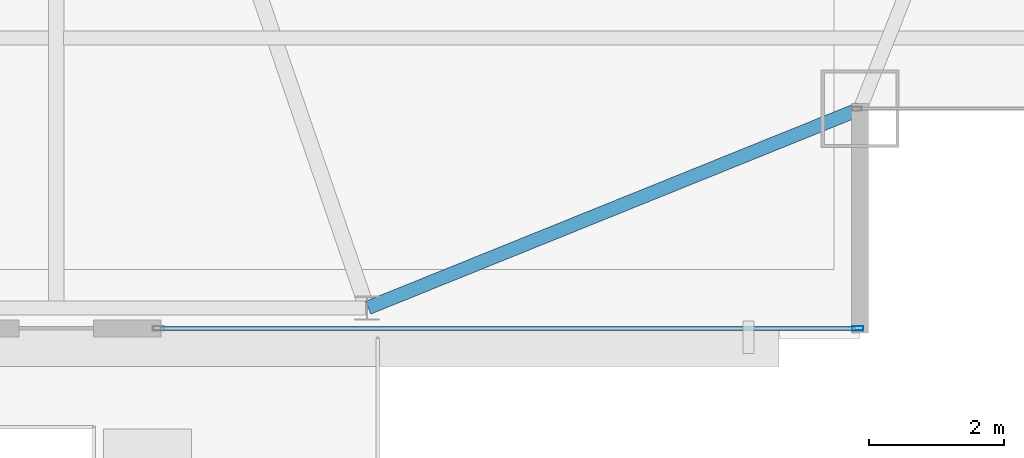
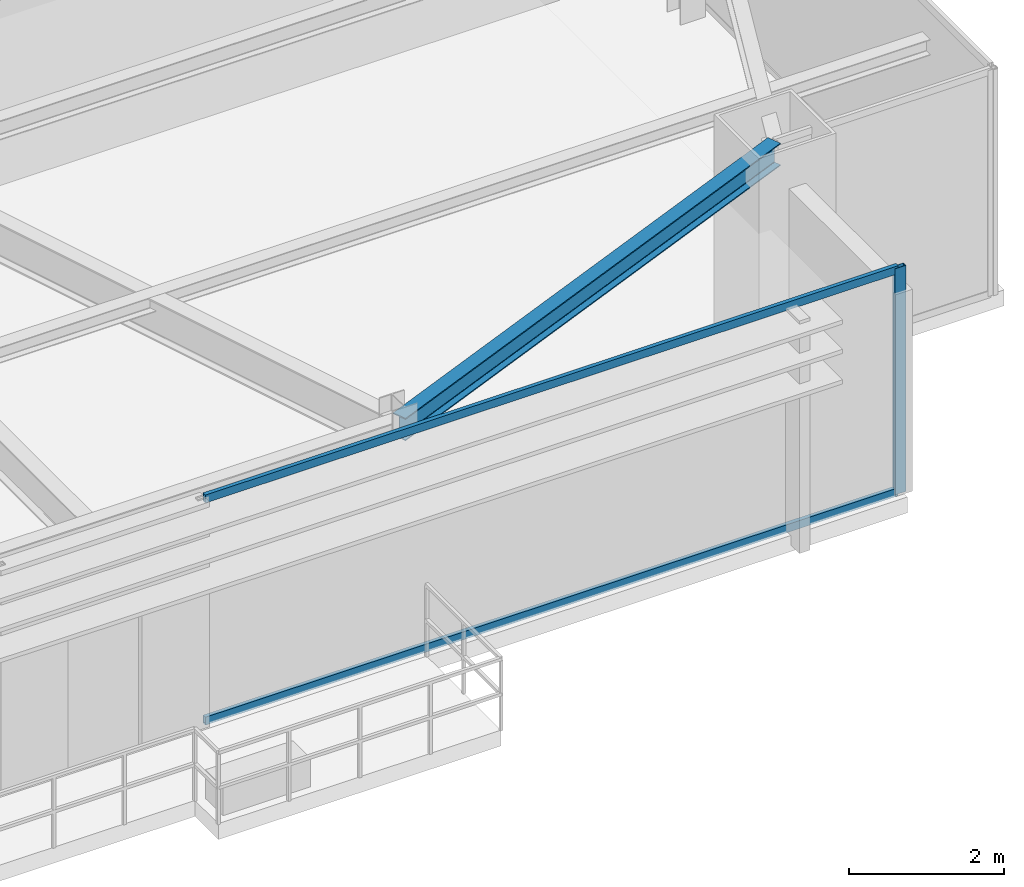
# One storey, part 13 of 30: 3 members, 1 beam, 1 element without a shape of its own.
"""IFC4 building model written with IfcOpenShell, lengths in metres."""

import ifcopenshell
import ifcopenshell.guid

model = None  # the IFC model being written
_history = None  # IfcOwnerHistory: only IFC2X3 demands one
_inside = {}  # id of a spatial element -> (the spatial element, [elements in it])
_under = {}  # id of a project, library or spatial element -> (it, [spatial elements below it])
_declared = {}  # id of a project -> (the project, [libraries it declares])
_typed = {}  # id of a type object -> (the type object, [elements of that type])
_made_of = {}  # id of a material, layer set ... -> (it, [elements and type objects made of it])


def new_model(schema):
    """Start an empty IFC model of exactly this schema.

    Asked for "IFC4X3", IfcOpenShell would pick the latest addendum, in which some entities
    have other attributes; the version numbers below select the first issue.
    IFC2X3 requires an IfcOwnerHistory on every rooted entity: one is made here for all.
    """
    global model, _history
    if schema == "IFC4X3":
        model = ifcopenshell.file(schema_version=(4, 3, 0, 0))
    else:
        model = ifcopenshell.file(schema=schema)
    _inside.clear()
    _under.clear()
    _declared.clear()
    _typed.clear()
    _made_of.clear()
    _history = None
    if model.schema == "IFC2X3":
        org = make("IfcOrganization", Name="unknown")
        user = make(
            "IfcPersonAndOrganization",
            ThePerson=make("IfcPerson", FamilyName="unknown"),
            TheOrganization=org,
        )
        app = make(
            "IfcApplication",
            ApplicationDeveloper=org,
            Version="unknown",
            ApplicationFullName="unknown",
            ApplicationIdentifier="unknown",
        )
        _history = make(
            "IfcOwnerHistory",
            OwningUser=user,
            OwningApplication=app,
            ChangeAction="ADDED",
            CreationDate=0,
        )
    return model


def make(cls, **values):
    """One entity of the class cls with the attributes given. An attribute that is None is left unset."""
    return model.create_entity(
        cls, **{name: value for name, value in values.items() if value is not None}
    )


def rooted(cls, **values):
    """An entity with a GlobalId (a new one), such as an element, a storey or a relation."""
    return make(cls, GlobalId=ifcopenshell.guid.new(), OwnerHistory=_history, **values)


def si_unit(unit_type, name, prefix=None):
    """IfcSIUnit, for example si_unit("LENGTHUNIT", "METRE", prefix="MILLI")."""
    return make("IfcSIUnit", UnitType=unit_type, Prefix=prefix, Name=name)


def assignment(units):
    """IfcUnitAssignment: the units of a project."""
    return None if units is None else make("IfcUnitAssignment", Units=units)


def point(xyz):
    """IfcCartesianPoint."""
    return None if xyz is None else make("IfcCartesianPoint", Coordinates=xyz)


def direction(xyz):
    """IfcDirection."""
    return None if xyz is None else make("IfcDirection", DirectionRatios=xyz)


def frame(location, z_axis=None, x_axis=None):
    """IfcAxis2Placement3D, a coordinate frame: its origin and axes. An axis left out is left unset."""
    return make(
        "IfcAxis2Placement3D",
        Location=point(location),
        Axis=direction(z_axis),
        RefDirection=direction(x_axis),
    )


def frame_2d(location, x_axis=None):
    """IfcAxis2Placement2D, a coordinate frame in the plane: its origin and x axis."""
    return make(
        "IfcAxis2Placement2D", Location=point(location), RefDirection=direction(x_axis)
    )


def origin():
    """The frame at (0, 0, 0) with its axes left unset."""
    return frame((0.0, 0.0, 0.0))


def origin_2d():
    """The frame at (0, 0) in the plane with its x axis left unset."""
    return frame_2d((0.0, 0.0))


def place(relative_to, where):
    """IfcLocalPlacement: puts the frame where relative to a parent placement (None: the world)."""
    return make(
        "IfcLocalPlacement", PlacementRelTo=relative_to, RelativePlacement=where
    )


def context(
    kind, dimensions, precision=None, world=None, true_north=None, identifier=None
):
    """IfcGeometricRepresentationContext, for example the 3D "Model" context."""
    return make(
        "IfcGeometricRepresentationContext",
        ContextIdentifier=identifier,
        ContextType=kind,
        CoordinateSpaceDimension=dimensions,
        Precision=precision,
        WorldCoordinateSystem=world,
        TrueNorth=true_north,
    )


def subcontext(parent, identifier, kind, view, scale=None):
    """IfcGeometricRepresentationSubContext, for example "Body" below "Model"."""
    return make(
        "IfcGeometricRepresentationSubContext",
        ContextIdentifier=identifier,
        ContextType=kind,
        ParentContext=parent,
        TargetScale=scale,
        TargetView=view,
    )


def project(units=None, contexts=None):
    """IfcProject with its units and contexts."""
    return rooted(
        "IfcProject",
        Name="project",
        RepresentationContexts=contexts,
        UnitsInContext=assignment(units),
    )


def spatial(cls, under=None, at=None, **own):
    """A site, building, storey or space (cls), placed at a placement, below another one or the project."""
    s = rooted(cls, ObjectPlacement=at, **own)
    if under is not None:
        _under.setdefault(under.id(), (under, []))[1].append(s)
    return s


def profile(cls, at=None, kind="AREA", **sizes):
    """A parametric profile (cls). Its sizes go by their IFC names, for example OverallWidth=200.0."""
    return make(cls, ProfileType=kind, Position=at, **sizes)


def hollow_rectangle(**sizes):
    """IfcRectangleHollowProfileDef."""
    return profile("IfcRectangleHollowProfileDef", **sizes)


def i_section(**sizes):
    """IfcIShapeProfileDef."""
    return profile("IfcIShapeProfileDef", **sizes)


def extrude(swept, where, along, depth):
    """IfcExtrudedAreaSolid: the profile swept, set in the frame where, extruded along a direction by depth."""
    return make(
        "IfcExtrudedAreaSolid",
        SweptArea=swept,
        Position=where,
        ExtrudedDirection=direction(along),
        Depth=depth,
    )


def shape(context_of_items, identifier, shape_type, items):
    """IfcShapeRepresentation: the items that make up one representation, for example the "Body"."""
    return make(
        "IfcShapeRepresentation",
        ContextOfItems=context_of_items,
        RepresentationIdentifier=identifier,
        RepresentationType=shape_type,
        Items=items,
    )


def source(mapping_origin, context_of_items, identifier, shape_type, items):
    """IfcRepresentationMap: a shape defined once, which mapped items show again and again."""
    return make(
        "IfcRepresentationMap",
        MappingOrigin=mapping_origin,
        MappedRepresentation=shape(context_of_items, identifier, shape_type, items),
    )


def transform(
    local_origin,
    x_axis=None,
    y_axis=None,
    z_axis=None,
    scale=None,
    scale2=None,
    scale3=None,
    uniform=True,
):
    """IfcCartesianTransformationOperator3D, or its non-uniform kind. x_axis, y_axis, z_axis: its Axis1, 2, 3."""
    if uniform:
        return make(
            "IfcCartesianTransformationOperator3D",
            Axis1=direction(x_axis),
            Axis2=direction(y_axis),
            LocalOrigin=point(local_origin),
            Scale=scale,
            Axis3=direction(z_axis),
        )
    return make(
        "IfcCartesianTransformationOperator3DnonUniform",
        Axis1=direction(x_axis),
        Axis2=direction(y_axis),
        LocalOrigin=point(local_origin),
        Scale=scale,
        Axis3=direction(z_axis),
        Scale2=scale2,
        Scale3=scale3,
    )


def mapped(mapping_source, mapping_target):
    """IfcMappedItem: shows the shape of a source again, moved by a transform."""
    return make(
        "IfcMappedItem", MappingSource=mapping_source, MappingTarget=mapping_target
    )


def material(Name=None, Category=None):
    """IfcMaterial."""
    return make("IfcMaterial", Name=Name, Category=Category)


def layer(
    of_material, thickness, ventilated=None, Name=None, Category=None, Priority=None
):
    """IfcMaterialLayer: one layer of a wall or slab, of a material (None: an air gap)."""
    return make(
        "IfcMaterialLayer",
        Material=of_material,
        LayerThickness=thickness,
        IsVentilated=ventilated,
        Name=Name,
        Category=Category,
        Priority=Priority,
    )


def layer_set(layers, Name=None):
    """IfcMaterialLayerSet."""
    return make("IfcMaterialLayerSet", MaterialLayers=layers, LayerSetName=Name)


def material_profile(
    of_material, cross_section, Name=None, Category=None, Priority=None
):
    """IfcMaterialProfile: a cross section and its material."""
    return make(
        "IfcMaterialProfile",
        Name=Name,
        Material=of_material,
        Profile=cross_section,
        Priority=Priority,
        Category=Category,
    )


def profile_set(profiles, Name=None, composite=None):
    """IfcMaterialProfileSet."""
    return make(
        "IfcMaterialProfileSet",
        Name=Name,
        MaterialProfiles=profiles,
        CompositeProfile=composite,
    )


def made_of(thing, what):
    """Note that an element or type object is made of a material, layer set ...; save() writes the relation."""
    if what is not None:
        _made_of.setdefault(what.id(), (what, []))[1].append(thing)
    return thing


def type_object(cls, material=None, **own):
    """A type object (cls), such as IfcWallType, which elements share."""
    return made_of(rooted(cls, **own), material)


def type_shapes(of_type, sources):
    """Give a type object the sources (RepresentationMaps) that its elements show as mapped items."""
    of_type.RepresentationMaps = sources


def element(
    cls,
    number,
    at=None,
    inside=None,
    cuts=None,
    type_object=None,
    material=None,
    context=None,
    identifier="Body",
    shape_type=None,
    held_by="IfcProductDefinitionShape",
    body=None,
    shapes=None,
    **own,
):
    """One element of the class cls, such as IfcWall. Its Tag is "e" and its number.

    at: its placement. inside: the storey or other place that contains it. cuts: it is an
    opening in that element (IfcRelVoidsElement). A single representation is given by context,
    identifier, shape_type and body (its items); several are given by shapes. held_by: the class
    of the entity that holds the representations. save() writes the other relations.
    """
    e = rooted(cls, Tag="e%d" % number, ObjectPlacement=at, **own)
    if body is not None:
        shapes = [shape(context, identifier, shape_type, body)]
    if shapes is not None:
        e.Representation = make(held_by, Representations=shapes)
    if inside is not None:
        _inside.setdefault(inside.id(), (inside, []))[1].append(e)
    if cuts is not None:
        rooted(
            "IfcRelVoidsElement", RelatingBuildingElement=cuts, RelatedOpeningElement=e
        )
    if type_object is not None:
        _typed.setdefault(type_object.id(), (type_object, []))[1].append(e)
    return made_of(e, material)


def aggregate(whole, parts):
    """IfcRelAggregates: a whole, such as a stair, and the parts it consists of."""
    return rooted("IfcRelAggregates", RelatingObject=whole, RelatedObjects=parts)


def save(model, path):
    """Write the relations noted so far, then the file.

    IfcRelAggregates (storeys below a building ...), IfcRelContainedInSpatialStructure (elements
    in a storey), IfcRelDefinesByType, IfcRelAssociatesMaterial and IfcRelDeclares: one each for
    every whole, place, type object, material and project.
    """
    for whole, parts in _under.values():
        aggregate(whole, parts)
    for where, things in _inside.values():
        rooted(
            "IfcRelContainedInSpatialStructure",
            RelatedElements=things,
            RelatingStructure=where,
        )
    for kind, things in _typed.values():
        rooted("IfcRelDefinesByType", RelatedObjects=things, RelatingType=kind)
    for what, things in _made_of.values():
        rooted("IfcRelAssociatesMaterial", RelatedObjects=things, RelatingMaterial=what)
    for by, libraries in _declared.values():
        rooted("IfcRelDeclares", RelatingContext=by, RelatedDefinitions=libraries)
    model.write(path)


model = new_model("IFC4")

# Units and contexts
model_context = context("Model", 3, precision=1e-05, world=origin(), true_north=direction((0.0, 1.0)))
body_context = subcontext(model_context, "Body", "Model", "MODEL_VIEW")
ifc_project = project(units=[si_unit("LENGTHUNIT", "METRE"), si_unit("AREAUNIT", "SQUARE_METRE"), si_unit("VOLUMEUNIT", "CUBIC_METRE"), si_unit("PLANEANGLEUNIT", "RADIAN"), si_unit("MASSUNIT", "GRAM", prefix="KILO")], contexts=[model_context])

# Site, building, storey
site_placement = place(None, origin())
site = spatial("IfcSite", under=ifc_project, at=site_placement, CompositionType="ELEMENT")
building_placement = place(site_placement, origin())
building = spatial("IfcBuilding", under=site, at=building_placement, Name="Varnel Quay Broadcast Tower", CompositionType="ELEMENT")
storey_placement = place(building_placement, frame((0.0, 0.0, 247.0)))
storey = spatial("IfcBuildingStorey", under=building, at=storey_placement, Name="L61", CompositionType="ELEMENT", Elevation=247.0)

# Beam
ifc_material_1 = material(Name="Structural Steel CSA G40.21 350W", Category="steel")
ifc_material_profile_1 = material_profile(ifc_material_1, i_section(OverallWidth=0.205078125, OverallDepth=0.35400390625, WebThickness=0.009521484375, FlangeThickness=0.016845703125, FilletRadius=0.012939453125, at=origin_2d()), Name="W360X79")
ifc_profile_set_1 = profile_set([ifc_material_profile_1], Name="Structural Steel CSA G40.21 350W")
beam_type = type_object("IfcBeamType", Name="Beam_W360X79", PredefinedType="SPANDREL", material=ifc_profile_set_1)
shared_shape_1 = source(origin(), body_context, "Body", "SweptSolid", [
    extrude(i_section(OverallWidth=0.205078125, OverallDepth=0.35400390625, WebThickness=0.009521484375, FlangeThickness=0.016845703125, FilletRadius=0.012939453125, at=origin_2d()), origin(), (0.0, 0.0, 1.0), 7.83349609375),
])
type_shapes(beam_type, [shared_shape_1])
beam_placement = place(storey_placement, frame((47.818603515625, 10.657470703125, 3.373046875), z_axis=(0.927155449606, 0.374676890489, 0.0), x_axis=(-0.374676890489, 0.927155449606, 0.0)))
element("IfcBeam", 1, at=beam_placement, inside=storey, type_object=beam_type, Name="L61 South Spandrel TC-S4-MC-SE", PredefinedType="SPANDREL", context=body_context, shape_type="MappedRepresentation", body=[
    mapped(shared_shape_1, transform((0.0, 0.0, 0.0), x_axis=(1.0, 0.0, 0.0), y_axis=(0.0, 1.0, 0.0), z_axis=(0.0, 0.0, 1.0), scale=1.0)),
])

# Curtain wall, members
ifc_material_2 = material(Name="Anodised Bronze Aluminium 6063-T6", Category="aluminium")
ifc_layer = layer(ifc_material_2, 0.18994140625, Name="Anodised Bronze Aluminium 6063-T6")
ifc_layer_set = layer_set([ifc_layer], Name="Anodised Bronze Aluminium 6063-T6")
curtain_wall_type = type_object("IfcCurtainWallType", Name="CW_UpperTower", PredefinedType="NOTDEFINED", material=ifc_layer_set)
curtain_wall_placement = place(storey_placement, origin())
curtain_wall = element("IfcCurtainWall", 2, at=curtain_wall_placement, inside=storey, type_object=curtain_wall_type, Name="L61 South Unitised Curtain Wall 3", PredefinedType="NOTDEFINED")
ifc_material_profile_2 = material_profile(ifc_material_2, hollow_rectangle(XDim=0.06494140625, YDim=0.1650390625, WallThickness=0.00341796875, at=origin_2d()), Name="ALU65X165X3.5")
ifc_profile_set_2 = profile_set([ifc_material_profile_2], Name="Anodised Bronze Aluminium 6063-T6")
member_type_1 = type_object("IfcMemberType", Name="Mull_CWS-03", PredefinedType="MULLION", material=ifc_profile_set_2)
shared_shape_2 = source(origin(), body_context, "Body", "SweptSolid", [
    extrude(hollow_rectangle(XDim=0.06494140625, YDim=0.1650390625, WallThickness=0.00341796875, at=origin_2d()), origin(), (0.0, 0.0, 1.0), 3.550048828125),
])
type_shapes(member_type_1, [shared_shape_2])
member_1_placement = place(storey_placement, frame((55.0673828125, 10.35009765625, 0.0), z_axis=(0.0, 0.0, 1.0), x_axis=(0.0, 1.0, 0.0)))
member_1 = element("IfcMember", 3, at=member_1_placement, type_object=member_type_1, Name="CWS-03 mullion 2", PredefinedType="MULLION", context=body_context, shape_type="MappedRepresentation", body=[
    mapped(shared_shape_2, transform((0.0, 0.0, 0.0), x_axis=(1.0, 0.0, 0.0), y_axis=(0.0, 1.0, 0.0), z_axis=(0.0, 0.0, 1.0), scale=1.0)),
])
ifc_material_profile_3 = material_profile(ifc_material_2, hollow_rectangle(XDim=0.06005859375, YDim=0.125, WallThickness=0.0029296875, at=origin_2d()), Name="ALU60X125X3")
ifc_profile_set_3 = profile_set([ifc_material_profile_3], Name="Anodised Bronze Aluminium 6063-T6")
member_type_2 = type_object("IfcMemberType", Name="Tran_CWS-03", PredefinedType="USERDEFINED", material=ifc_profile_set_3)
shared_shape_3 = source(origin(), body_context, "Body", "SweptSolid", [
    extrude(hollow_rectangle(XDim=0.06005859375, YDim=0.125, WallThickness=0.0029296875, at=origin_2d()), origin(), (0.0, 0.0, 1.0), 10.289794921875),
])
type_shapes(member_type_2, [shared_shape_3])
member_2_placement = place(storey_placement, frame((44.7451171875, 10.35009765625, 0.030029296875), z_axis=(1.0, 0.0, 0.0), x_axis=(0.0, 1.0, 0.0)))
member_2 = element("IfcMember", 4, at=member_2_placement, type_object=member_type_2, Name="CWS-03 transom 1.1", ObjectType="TRANSOM", PredefinedType="USERDEFINED", context=body_context, shape_type="MappedRepresentation", body=[
    mapped(shared_shape_3, transform((0.0, 0.0, 0.0), x_axis=(1.0, 0.0, 0.0), y_axis=(0.0, 1.0, 0.0), z_axis=(0.0, 0.0, 1.0), scale=1.0)),
])
member_3_placement = place(storey_placement, frame((44.7451171875, 10.35009765625, 3.52001953125), z_axis=(1.0, 0.0, 0.0), x_axis=(0.0, 1.0, 0.0)))
member_3 = element("IfcMember", 5, at=member_3_placement, type_object=member_type_2, Name="CWS-03 transom 1.2", ObjectType="TRANSOM", PredefinedType="USERDEFINED", context=body_context, shape_type="MappedRepresentation", body=[
    mapped(shared_shape_3, transform((0.0, 0.0, 0.0), x_axis=(1.0, 0.0, 0.0), y_axis=(0.0, 1.0, 0.0), z_axis=(0.0, 0.0, 1.0), scale=1.0)),
])
aggregate(curtain_wall, [member_1, member_2, member_3])

save(model, "model.ifc")
